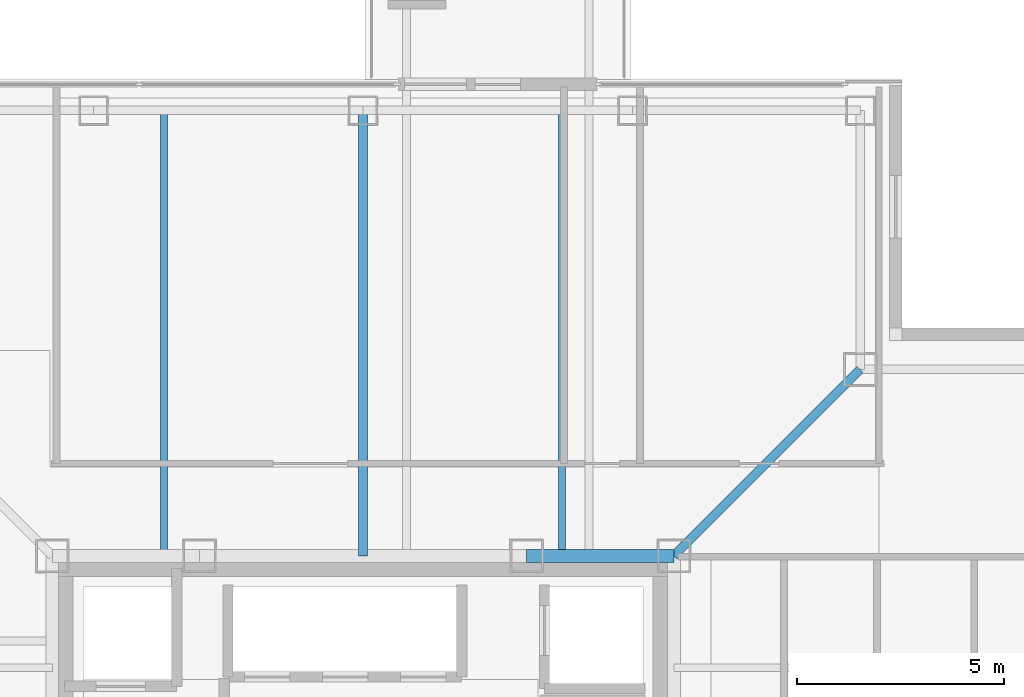
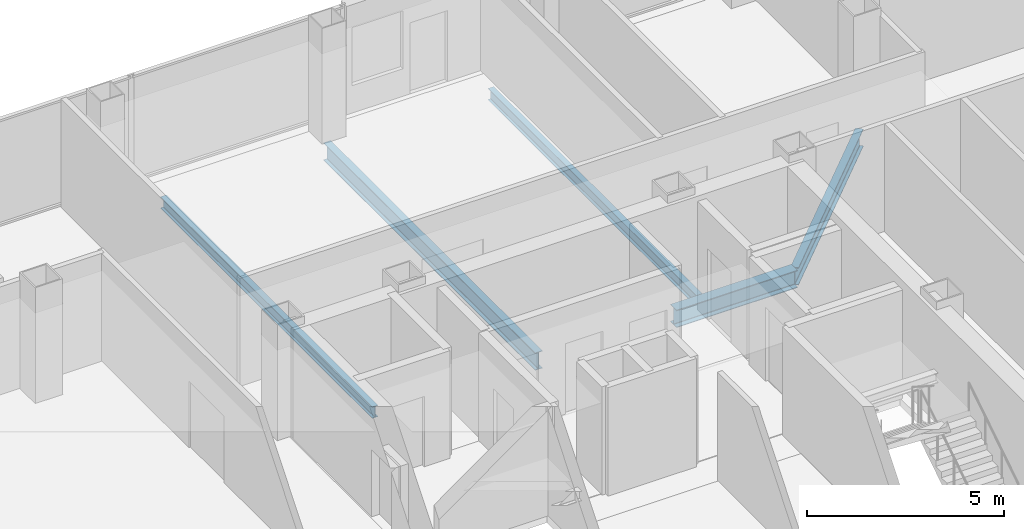
# One storey, part 5 of 13: 5 beams.
"""IFC4 building model written with IfcOpenShell, lengths in metres."""

import ifcopenshell
import ifcopenshell.guid

model = None  # the IFC model being written
_history = None  # IfcOwnerHistory: only IFC2X3 demands one
_inside = {}  # id of a spatial element -> (the spatial element, [elements in it])
_under = {}  # id of a project, library or spatial element -> (it, [spatial elements below it])
_declared = {}  # id of a project -> (the project, [libraries it declares])
_typed = {}  # id of a type object -> (the type object, [elements of that type])
_made_of = {}  # id of a material, layer set ... -> (it, [elements and type objects made of it])


def new_model(schema):
    """Start an empty IFC model of exactly this schema.

    Asked for "IFC4X3", IfcOpenShell would pick the latest addendum, in which some entities
    have other attributes; the version numbers below select the first issue.
    IFC2X3 requires an IfcOwnerHistory on every rooted entity: one is made here for all.
    """
    global model, _history
    if schema == "IFC4X3":
        model = ifcopenshell.file(schema_version=(4, 3, 0, 0))
    else:
        model = ifcopenshell.file(schema=schema)
    _inside.clear()
    _under.clear()
    _declared.clear()
    _typed.clear()
    _made_of.clear()
    _history = None
    if model.schema == "IFC2X3":
        org = make("IfcOrganization", Name="unknown")
        user = make(
            "IfcPersonAndOrganization",
            ThePerson=make("IfcPerson", FamilyName="unknown"),
            TheOrganization=org,
        )
        app = make(
            "IfcApplication",
            ApplicationDeveloper=org,
            Version="unknown",
            ApplicationFullName="unknown",
            ApplicationIdentifier="unknown",
        )
        _history = make(
            "IfcOwnerHistory",
            OwningUser=user,
            OwningApplication=app,
            ChangeAction="ADDED",
            CreationDate=0,
        )
    return model


def make(cls, **values):
    """One entity of the class cls with the attributes given. An attribute that is None is left unset."""
    return model.create_entity(
        cls, **{name: value for name, value in values.items() if value is not None}
    )


def rooted(cls, **values):
    """An entity with a GlobalId (a new one), such as an element, a storey or a relation."""
    return make(cls, GlobalId=ifcopenshell.guid.new(), OwnerHistory=_history, **values)


def si_unit(unit_type, name, prefix=None):
    """IfcSIUnit, for example si_unit("LENGTHUNIT", "METRE", prefix="MILLI")."""
    return make("IfcSIUnit", UnitType=unit_type, Prefix=prefix, Name=name)


def assignment(units):
    """IfcUnitAssignment: the units of a project."""
    return None if units is None else make("IfcUnitAssignment", Units=units)


def point(xyz):
    """IfcCartesianPoint."""
    return None if xyz is None else make("IfcCartesianPoint", Coordinates=xyz)


def direction(xyz):
    """IfcDirection."""
    return None if xyz is None else make("IfcDirection", DirectionRatios=xyz)


def frame(location, z_axis=None, x_axis=None):
    """IfcAxis2Placement3D, a coordinate frame: its origin and axes. An axis left out is left unset."""
    return make(
        "IfcAxis2Placement3D",
        Location=point(location),
        Axis=direction(z_axis),
        RefDirection=direction(x_axis),
    )


def frame_2d(location, x_axis=None):
    """IfcAxis2Placement2D, a coordinate frame in the plane: its origin and x axis."""
    return make(
        "IfcAxis2Placement2D", Location=point(location), RefDirection=direction(x_axis)
    )


def origin():
    """The frame at (0, 0, 0) with its axes left unset."""
    return frame((0.0, 0.0, 0.0))


def origin_2d():
    """The frame at (0, 0) in the plane with its x axis left unset."""
    return frame_2d((0.0, 0.0))


def place(relative_to, where):
    """IfcLocalPlacement: puts the frame where relative to a parent placement (None: the world)."""
    return make(
        "IfcLocalPlacement", PlacementRelTo=relative_to, RelativePlacement=where
    )


def context(
    kind, dimensions, precision=None, world=None, true_north=None, identifier=None
):
    """IfcGeometricRepresentationContext, for example the 3D "Model" context."""
    return make(
        "IfcGeometricRepresentationContext",
        ContextIdentifier=identifier,
        ContextType=kind,
        CoordinateSpaceDimension=dimensions,
        Precision=precision,
        WorldCoordinateSystem=world,
        TrueNorth=true_north,
    )


def subcontext(parent, identifier, kind, view, scale=None):
    """IfcGeometricRepresentationSubContext, for example "Body" below "Model"."""
    return make(
        "IfcGeometricRepresentationSubContext",
        ContextIdentifier=identifier,
        ContextType=kind,
        ParentContext=parent,
        TargetScale=scale,
        TargetView=view,
    )


def project(units=None, contexts=None):
    """IfcProject with its units and contexts."""
    return rooted(
        "IfcProject",
        Name="project",
        RepresentationContexts=contexts,
        UnitsInContext=assignment(units),
    )


def spatial(cls, under=None, at=None, **own):
    """A site, building, storey or space (cls), placed at a placement, below another one or the project."""
    s = rooted(cls, ObjectPlacement=at, **own)
    if under is not None:
        _under.setdefault(under.id(), (under, []))[1].append(s)
    return s


def profile(cls, at=None, kind="AREA", **sizes):
    """A parametric profile (cls). Its sizes go by their IFC names, for example OverallWidth=200.0."""
    return make(cls, ProfileType=kind, Position=at, **sizes)


def i_section(**sizes):
    """IfcIShapeProfileDef."""
    return profile("IfcIShapeProfileDef", **sizes)


def extrude(swept, where, along, depth):
    """IfcExtrudedAreaSolid: the profile swept, set in the frame where, extruded along a direction by depth."""
    return make(
        "IfcExtrudedAreaSolid",
        SweptArea=swept,
        Position=where,
        ExtrudedDirection=direction(along),
        Depth=depth,
    )


def shape(context_of_items, identifier, shape_type, items):
    """IfcShapeRepresentation: the items that make up one representation, for example the "Body"."""
    return make(
        "IfcShapeRepresentation",
        ContextOfItems=context_of_items,
        RepresentationIdentifier=identifier,
        RepresentationType=shape_type,
        Items=items,
    )


def material(Name=None, Category=None):
    """IfcMaterial."""
    return make("IfcMaterial", Name=Name, Category=Category)


def material_profile(
    of_material, cross_section, Name=None, Category=None, Priority=None
):
    """IfcMaterialProfile: a cross section and its material."""
    return make(
        "IfcMaterialProfile",
        Name=Name,
        Material=of_material,
        Profile=cross_section,
        Priority=Priority,
        Category=Category,
    )


def profile_set(profiles, Name=None, composite=None):
    """IfcMaterialProfileSet."""
    return make(
        "IfcMaterialProfileSet",
        Name=Name,
        MaterialProfiles=profiles,
        CompositeProfile=composite,
    )


def made_of(thing, what):
    """Note that an element or type object is made of a material, layer set ...; save() writes the relation."""
    if what is not None:
        _made_of.setdefault(what.id(), (what, []))[1].append(thing)
    return thing


def type_object(cls, material=None, **own):
    """A type object (cls), such as IfcWallType, which elements share."""
    return made_of(rooted(cls, **own), material)


def element(
    cls,
    number,
    at=None,
    inside=None,
    cuts=None,
    type_object=None,
    material=None,
    context=None,
    identifier="Body",
    shape_type=None,
    held_by="IfcProductDefinitionShape",
    body=None,
    shapes=None,
    **own,
):
    """One element of the class cls, such as IfcWall. Its Tag is "e" and its number.

    at: its placement. inside: the storey or other place that contains it. cuts: it is an
    opening in that element (IfcRelVoidsElement). A single representation is given by context,
    identifier, shape_type and body (its items); several are given by shapes. held_by: the class
    of the entity that holds the representations. save() writes the other relations.
    """
    e = rooted(cls, Tag="e%d" % number, ObjectPlacement=at, **own)
    if body is not None:
        shapes = [shape(context, identifier, shape_type, body)]
    if shapes is not None:
        e.Representation = make(held_by, Representations=shapes)
    if inside is not None:
        _inside.setdefault(inside.id(), (inside, []))[1].append(e)
    if cuts is not None:
        rooted(
            "IfcRelVoidsElement", RelatingBuildingElement=cuts, RelatedOpeningElement=e
        )
    if type_object is not None:
        _typed.setdefault(type_object.id(), (type_object, []))[1].append(e)
    return made_of(e, material)


def aggregate(whole, parts):
    """IfcRelAggregates: a whole, such as a stair, and the parts it consists of."""
    return rooted("IfcRelAggregates", RelatingObject=whole, RelatedObjects=parts)


def save(model, path):
    """Write the relations noted so far, then the file.

    IfcRelAggregates (storeys below a building ...), IfcRelContainedInSpatialStructure (elements
    in a storey), IfcRelDefinesByType, IfcRelAssociatesMaterial and IfcRelDeclares: one each for
    every whole, place, type object, material and project.
    """
    for whole, parts in _under.values():
        aggregate(whole, parts)
    for where, things in _inside.values():
        rooted(
            "IfcRelContainedInSpatialStructure",
            RelatedElements=things,
            RelatingStructure=where,
        )
    for kind, things in _typed.values():
        rooted("IfcRelDefinesByType", RelatedObjects=things, RelatingType=kind)
    for what, things in _made_of.values():
        rooted("IfcRelAssociatesMaterial", RelatedObjects=things, RelatingMaterial=what)
    for by, libraries in _declared.values():
        rooted("IfcRelDeclares", RelatingContext=by, RelatedDefinitions=libraries)
    model.write(path)


model = new_model("IFC4")

# Units and contexts
model_context = context("Model", 3, precision=1e-05, world=origin(), true_north=direction((0.0, 1.0)))
body_context = subcontext(model_context, "Body", "Model", "MODEL_VIEW")
ifc_project = project(units=[si_unit("LENGTHUNIT", "METRE"), si_unit("AREAUNIT", "SQUARE_METRE"), si_unit("VOLUMEUNIT", "CUBIC_METRE"), si_unit("PLANEANGLEUNIT", "RADIAN"), si_unit("MASSUNIT", "GRAM", prefix="KILO")], contexts=[model_context])

# Site, building, storey
site_placement = place(None, origin())
site = spatial("IfcSite", under=ifc_project, at=site_placement, CompositionType="ELEMENT")
building_placement = place(site_placement, origin())
building = spatial("IfcBuilding", under=site, at=building_placement, Name="Trevonay Congress Spire", CompositionType="ELEMENT")
storey_placement = place(building_placement, frame((0.0, 0.0, 254.0)))
storey = spatial("IfcBuildingStorey", under=building, at=storey_placement, Name="L66", CompositionType="ELEMENT", Elevation=254.0)

# Beams
ifc_material = material(Name="Steel ASTM A572 Grade 50", Category="steel")
ifc_material_profile_1 = material_profile(ifc_material, i_section(OverallWidth=0.2119140625, OverallDepth=0.5439453125, WebThickness=0.01318359375, FlangeThickness=0.021240234375, FilletRadius=0.014892578125, at=origin_2d()), Name="W530x123")
ifc_profile_set_1 = profile_set([ifc_material_profile_1], Name="Steel ASTM A572 Grade 50")
beam_type_1 = type_object("IfcBeamType", Name="BM-GIRD-W530X123", PredefinedType="BEAM", material=ifc_profile_set_1)
beam_1_placement = place(storey_placement, frame((7.5, 7.5, -0.511962890625), z_axis=(0.707106781187, 0.707106781187, 0.0), x_axis=(-0.707106781187, 0.707106781187, 0.0)))
element("IfcBeam", 1, at=beam_1_placement, inside=storey, type_object=beam_type_1, Name="L66 structural beam BM-L66-CDNE", PredefinedType="BEAM", context=body_context, shape_type="SweptSolid", body=[
    extrude(i_section(OverallWidth=0.2119140625, OverallDepth=0.5439453125, WebThickness=0.01318359375, FlangeThickness=0.021240234375, FilletRadius=0.014892578125, at=origin_2d()), origin(), (0.0, 0.0, 1.0), 6.364013671875),
])
beam_2_placement = place(storey_placement, frame((0.0, 7.5, -0.511962890625), z_axis=(0.0, 1.0, 0.0), x_axis=(-1.0, 0.0, 0.0)))
element("IfcBeam", 2, at=beam_2_placement, inside=storey, type_object=beam_type_1, Name="L66 structural beam BM-L66-GC-N", PredefinedType="BEAM", context=body_context, shape_type="SweptSolid", body=[
    extrude(i_section(OverallWidth=0.2119140625, OverallDepth=0.5439453125, WebThickness=0.01318359375, FlangeThickness=0.021240234375, FilletRadius=0.014892578125, at=origin_2d()), origin(), (0.0, 0.0, 1.0), 10.75),
])
ifc_material_profile_2 = material_profile(ifc_material, i_section(OverallWidth=0.31201171875, OverallDepth=0.54296875, WebThickness=0.0126953125, FlangeThickness=0.020263671875, FilletRadius=0.014892578125, at=origin_2d()), Name="W530x150")
ifc_profile_set_2 = profile_set([ifc_material_profile_2], Name="Steel ASTM A572 Grade 50")
beam_type_2 = type_object("IfcBeamType", Name="BM-GIRD-W530X150", PredefinedType="BEAM", material=ifc_profile_set_2)
beam_3_placement = place(storey_placement, frame((3.949951171875, 7.5, -0.511474609375), z_axis=(1.0, 0.0, 0.0), x_axis=(0.0, 1.0, 0.0)))
element("IfcBeam", 3, at=beam_3_placement, inside=storey, type_object=beam_type_2, Name="L66 structural beam BM-L66-CR-N3", PredefinedType="BEAM", context=body_context, shape_type="SweptSolid", body=[
    extrude(i_section(OverallWidth=0.31201171875, OverallDepth=0.54296875, WebThickness=0.0126953125, FlangeThickness=0.020263671875, FilletRadius=0.014892578125, at=origin_2d()), origin(), (0.0, 0.0, 1.0), 3.550048828125),
])
ifc_material_profile_3 = material_profile(ifc_material, i_section(OverallWidth=0.172119140625, OverallDepth=0.35791015625, WebThickness=0.0078125, FlangeThickness=0.01318359375, FilletRadius=0.011962890625, at=origin_2d()), Name="W360x57.8")
ifc_profile_set_3 = profile_set([ifc_material_profile_3], Name="Steel ASTM A572 Grade 50")
beam_type_3 = type_object("IfcBeamType", Name="JS-COMP-W360X57", PredefinedType="JOIST", material=ifc_profile_set_3)
for number, where, z_axis, x_axis, name in (
    (4, (-4.800048828125, 7.5, -0.4189453125), (0.0, 1.0, 0.0), (-1.0, 0.0, 0.0), "L66 structural beam JS-L66-NS-N1"),
    (5, (4.800048828125, 7.5, -0.4189453125), (0.0, 1.0, 0.0), (-1.0, 0.0, 0.0), "L66 structural beam JS-L66-NS-N3"),
):
    element("IfcBeam", number, at=place(storey_placement, frame(where, z_axis=z_axis, x_axis=x_axis)), inside=storey, type_object=beam_type_3, Name=name, PredefinedType="JOIST", context=body_context, shape_type="SweptSolid", body=[
        extrude(i_section(OverallWidth=0.172119140625, OverallDepth=0.35791015625, WebThickness=0.0078125, FlangeThickness=0.01318359375, FilletRadius=0.011962890625, at=origin_2d()), origin(), (0.0, 0.0, 1.0), 10.75),
    ])

save(model, "model.ifc")
